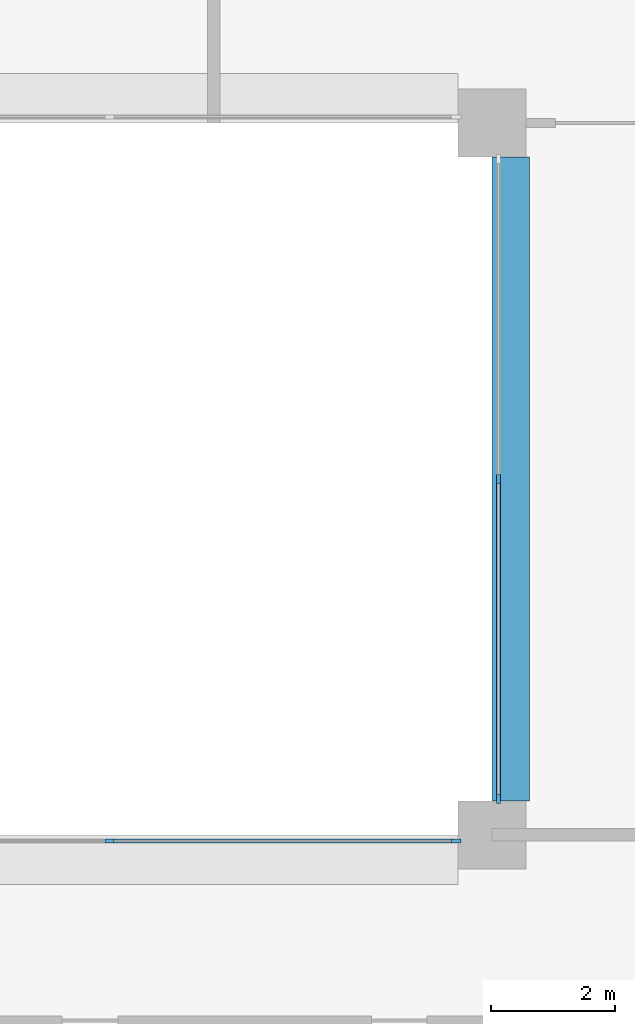
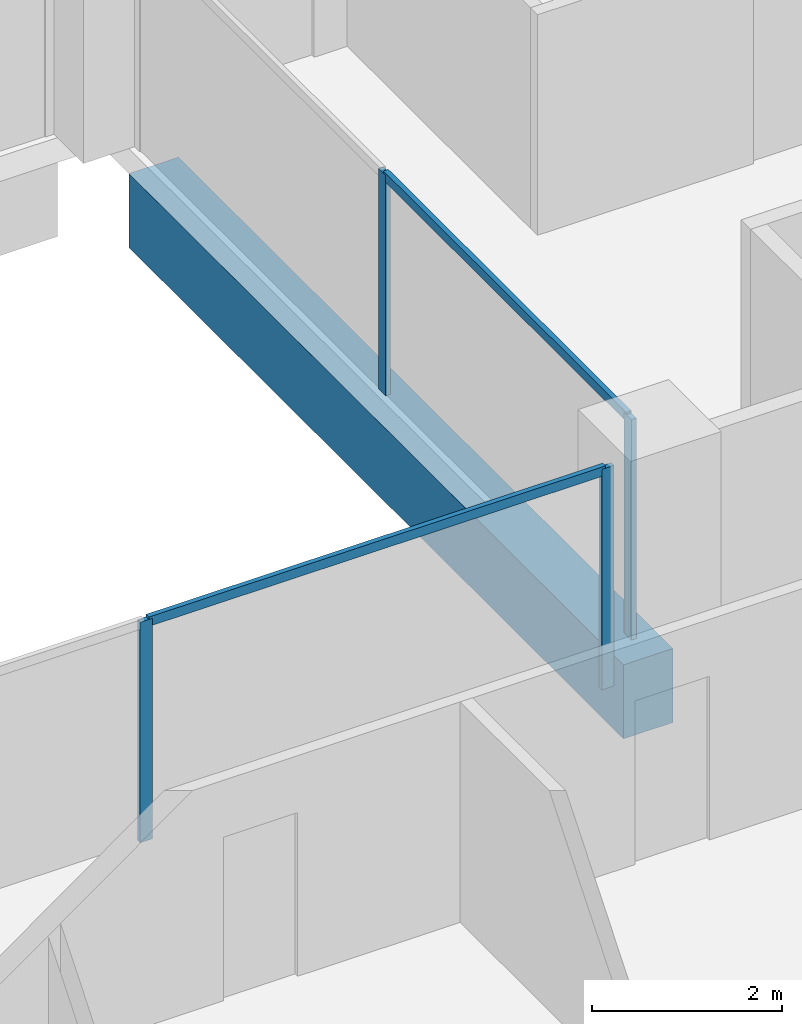
# One storey, part 4 of 15: 6 members, 1 beam, 2 elements without a shape of their own.
"""IFC4 building model written with IfcOpenShell, lengths in metres."""

from ifc_helpers import new_model, si_unit, direction, frame, origin, origin_2d, place, context, subcontext, project, spatial, rectangle, extrude, material, layer, layer_set, material_profile, profile_set, type_object, element, aggregate, save


model = new_model("IFC4")

# Units and contexts
model_context = context("Model", 3, precision=1e-05, world=origin(), true_north=direction((0.0, 1.0)))
body_context = subcontext(model_context, "Body", "Model", "MODEL_VIEW")
ifc_project = project(units=[si_unit("LENGTHUNIT", "METRE"), si_unit("AREAUNIT", "SQUARE_METRE"), si_unit("VOLUMEUNIT", "CUBIC_METRE"), si_unit("PLANEANGLEUNIT", "RADIAN"), si_unit("MASSUNIT", "GRAM", prefix="KILO")], contexts=[model_context])

# Site, building, storey
site_placement = place(None, origin())
site = spatial("IfcSite", under=ifc_project, at=site_placement, CompositionType="ELEMENT")
building_placement = place(site_placement, origin())
building = spatial("IfcBuilding", under=site, at=building_placement, Name="Brigalow Station Residences", CompositionType="ELEMENT")
storey_placement = place(building_placement, frame((0.0, 0.0, 150.75)))
storey = spatial("IfcBuildingStorey", under=building, at=storey_placement, Name="L43", CompositionType="ELEMENT", Elevation=150.75)

# Beam
ifc_material_1 = material(Name="Concrete C65", Category="concrete")
ifc_material_profile_1 = material_profile(ifc_material_1, rectangle(XDim=0.60009765625, YDim=0.949951171875, at=origin_2d()), Name="RC600x950")
ifc_profile_set_1 = profile_set([ifc_material_profile_1], Name="Concrete C65")
beam_type = type_object("IfcBeamType", Name="ATRIUM EDGE GIRDER 600x950 C65", PredefinedType="BEAM", material=ifc_profile_set_1)
beam_placement = place(storey_placement, frame((45.300048828125, 24.550048828125, -0.794921875), z_axis=(0.0, 1.0, 0.0), x_axis=(-1.0, 0.0, 0.0)))
element("IfcBeam", 1, at=beam_placement, inside=storey, type_object=beam_type, Name="ATRIUM EDGE GIRDER 5 L43", PredefinedType="BEAM", context=body_context, shape_type="SweptSolid", body=[
    extrude(rectangle(XDim=0.60009765625, YDim=0.949951171875, at=origin_2d()), origin(), (0.0, 0.0, 1.0), 10.39990234375),
])

# Curtain wall, members
ifc_material_2 = material(Name="Aluminium", Category="aluminium")
ifc_layer = layer(ifc_material_2, 0.14990234375)
ifc_layer_set = layer_set([ifc_layer], Name="ATRIUM FIRE-RATED GLAZING CURTAIN WALL")
curtain_wall_type = type_object("IfcCurtainWallType", Name="ATRIUM FIRE-RATED GLAZING CURTAIN WALL", PredefinedType="NOTDEFINED", material=ifc_layer_set)
curtain_wall_1_placement = place(storey_placement, origin())
curtain_wall_1 = element("IfcCurtainWall", 2, at=curtain_wall_1_placement, inside=storey, type_object=curtain_wall_type, Name="L43/cw/atrium-S", PredefinedType="NOTDEFINED")
ifc_material_3 = material(Name="Aluminium", Category="aluminium")
ifc_material_profile_2 = material_profile(ifc_material_3, rectangle(XDim=0.06005859375, YDim=0.14990234375, at=origin_2d()), Name="ATRIUM FIRE-RATED GLAZING MULLION 60x150")
ifc_profile_set_2 = profile_set([ifc_material_profile_2], Name="Aluminium")
member_type_1 = type_object("IfcMemberType", Name="ATRIUM FIRE-RATED GLAZING MULLION 60x150", PredefinedType="MULLION", material=ifc_profile_set_2)
member_1_placement = place(storey_placement, frame((38.816650390625, 23.89990234375, 0.0), z_axis=(0.0, 0.0, 1.0), x_axis=(0.0, 1.0, 0.0)))
member_1 = element("IfcMember", 3, at=member_1_placement, type_object=member_type_1, Name="L43/cw/atrium-S/M02", PredefinedType="MULLION", context=body_context, shape_type="SweptSolid", body=[
    extrude(rectangle(XDim=0.06005859375, YDim=0.14990234375, at=origin_2d()), origin(), (0.0, 0.0, 1.0), 2.830078125),
])
member_2_placement = place(storey_placement, frame((44.419921875, 23.89990234375, 0.0), z_axis=(0.0, 0.0, 1.0), x_axis=(0.0, 1.0, 0.0)))
member_2 = element("IfcMember", 4, at=member_2_placement, type_object=member_type_1, Name="L43/cw/atrium-S/M03", PredefinedType="MULLION", context=body_context, shape_type="SweptSolid", body=[
    extrude(rectangle(XDim=0.06005859375, YDim=0.14990234375, at=origin_2d()), origin(), (0.0, 0.0, 1.0), 2.830078125),
])

curtain_wall_2_placement = place(storey_placement, origin())
curtain_wall_2 = element("IfcCurtainWall", 5, at=curtain_wall_2_placement, inside=storey, type_object=curtain_wall_type, Name="L43/cw/atrium-E", PredefinedType="NOTDEFINED")
member_3_placement = place(storey_placement, frame((45.10009765625, 24.580078125, 0.0), z_axis=(0.0, 0.0, 1.0), x_axis=(-1.0, 0.0, 0.0)))
member_3 = element("IfcMember", 6, at=member_3_placement, type_object=member_type_1, Name="L43/cw/atrium-E/M00", PredefinedType="MULLION", context=body_context, shape_type="SweptSolid", body=[
    extrude(rectangle(XDim=0.06005859375, YDim=0.14990234375, at=origin_2d()), origin(), (0.0, 0.0, 1.0), 2.830078125),
])
member_4_placement = place(storey_placement, frame((45.10009765625, 29.75, 0.0), z_axis=(0.0, 0.0, 1.0), x_axis=(-1.0, 0.0, 0.0)))
member_4 = element("IfcMember", 7, at=member_4_placement, type_object=member_type_1, Name="L43/cw/atrium-E/M01", PredefinedType="MULLION", context=body_context, shape_type="SweptSolid", body=[
    extrude(rectangle(XDim=0.06005859375, YDim=0.14990234375, at=origin_2d()), origin(), (0.0, 0.0, 1.0), 2.830078125),
])

# Member
ifc_material_4 = material(Name="Aluminium", Category="aluminium")
ifc_material_profile_3 = material_profile(ifc_material_4, rectangle(XDim=0.06005859375, YDim=0.1201171875, at=origin_2d()), Name="ATRIUM FIRE-RATED GLAZING TRANSOM 60x120")
ifc_profile_set_3 = profile_set([ifc_material_profile_3], Name="Aluminium")
member_type_2 = type_object("IfcMemberType", Name="ATRIUM FIRE-RATED GLAZING TRANSOM 60x120", PredefinedType="USERDEFINED", material=ifc_profile_set_3)
member_5_placement = place(storey_placement, frame((38.8466796875, 23.89990234375, 2.800048828125), z_axis=(1.0, 0.0, 0.0), x_axis=(0.0, 1.0, 0.0)))
member_5 = element("IfcMember", 8, at=member_5_placement, type_object=member_type_2, Name="L43/cw/atrium-S/T02-00", ObjectType="TRANSOM", PredefinedType="USERDEFINED", context=body_context, shape_type="SweptSolid", body=[
    extrude(rectangle(XDim=0.06005859375, YDim=0.1201171875, at=origin_2d()), origin(), (0.0, 0.0, 1.0), 5.543212890625),
])

aggregate(curtain_wall_1, [member_1, member_2, member_5])

member_6_placement = place(storey_placement, frame((45.10009765625, 24.610107421875, 2.800048828125), z_axis=(0.0, 1.0, 0.0), x_axis=(-1.0, 0.0, 0.0)))
member_6 = element("IfcMember", 9, at=member_6_placement, type_object=member_type_2, Name="L43/cw/atrium-E/T00-00", ObjectType="TRANSOM", PredefinedType="USERDEFINED", context=body_context, shape_type="SweptSolid", body=[
    extrude(rectangle(XDim=0.06005859375, YDim=0.1201171875, at=origin_2d()), origin(), (0.0, 0.0, 1.0), 5.10986328125),
])

aggregate(curtain_wall_2, [member_3, member_4, member_6])

save(model, "model.ifc")
